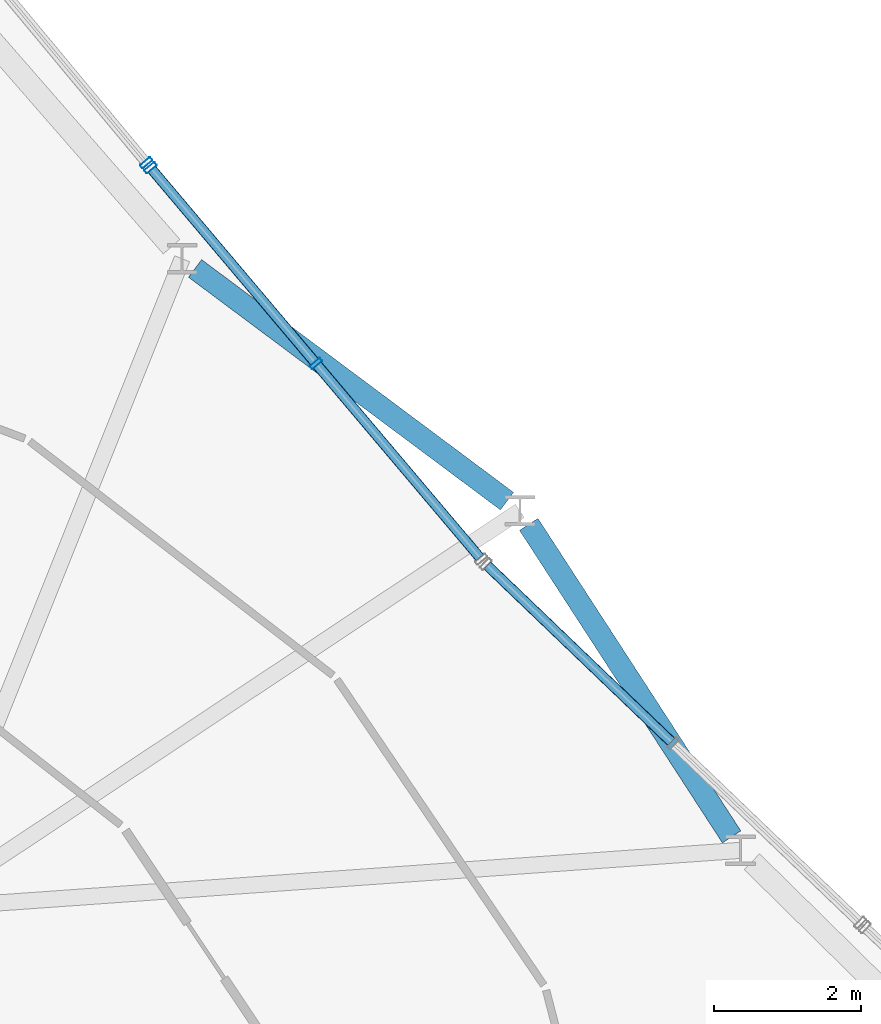
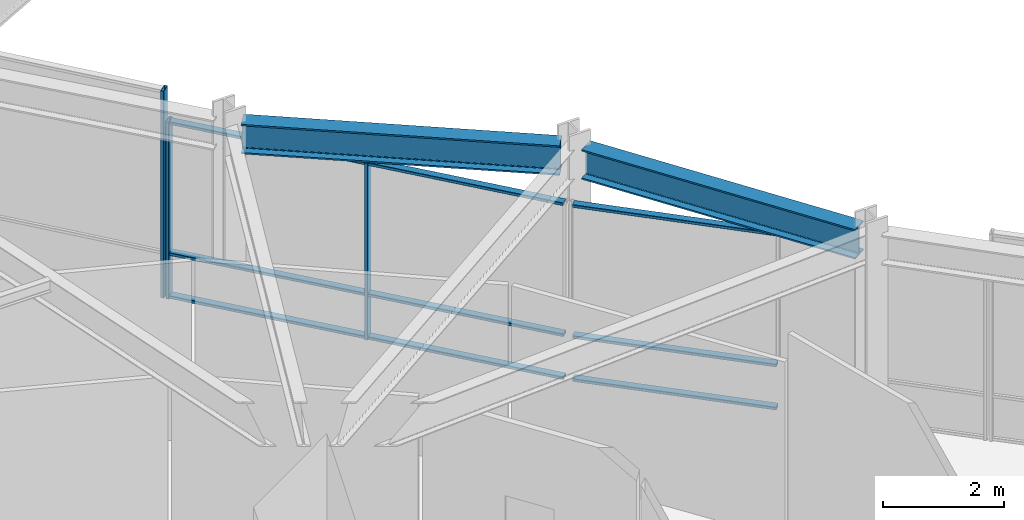
# One storey, part 37 of 55: 12 members, 2 beams, 3 elements without a shape of their own.
"""IFC4 building model written with IfcOpenShell, lengths in metres."""

from ifc_helpers import new_model, si_unit, direction, frame, origin, origin_2d, place, context, subcontext, project, spatial, hollow_rectangle, i_section, extrude, material, layer, layer_set, material_profile, profile_set, type_object, element, aggregate, save


model = new_model("IFC4")

# Units and contexts
model_context = context("Model", 3, precision=1e-05, world=origin(), true_north=direction((0.0, 1.0)))
body_context = subcontext(model_context, "Body", "Model", "MODEL_VIEW")
ifc_project = project(units=[si_unit("LENGTHUNIT", "METRE"), si_unit("AREAUNIT", "SQUARE_METRE"), si_unit("VOLUMEUNIT", "CUBIC_METRE"), si_unit("PLANEANGLEUNIT", "RADIAN"), si_unit("MASSUNIT", "GRAM", prefix="KILO")], contexts=[model_context])

# Site, building, storey
site_placement = place(None, origin())
site = spatial("IfcSite", under=ifc_project, at=site_placement, CompositionType="ELEMENT")
building_placement = place(site_placement, origin())
building = spatial("IfcBuilding", under=site, at=building_placement, Name="Kelanora Arch Commons", CompositionType="ELEMENT")
storey_placement = place(building_placement, frame((0.0, 0.0, 4.5)))
storey = spatial("IfcBuildingStorey", under=building, at=storey_placement, Name="L01", CompositionType="ELEMENT", Elevation=4.5)

# Beams
ifc_material_1 = material(Name="Steel S355", Category="steel")
ifc_material_profile_1 = material_profile(ifc_material_1, i_section(OverallWidth=0.300048828125, OverallDepth=0.60009765625, WebThickness=0.015380859375, FlangeThickness=0.030029296875, FilletRadius=0.027099609375, at=origin_2d()), Name="HEB600")
ifc_profile_set_1 = profile_set([ifc_material_profile_1], Name="Steel S355")
beam_type = type_object("IfcBeamType", Name="BM-SPN-Z1", PredefinedType="SPANDREL", material=ifc_profile_set_1)
beam_1_placement = place(storey_placement, frame((93.046142578125, 65.975341796875, 3.89990234375), z_axis=(-0.544524325677, 0.838745049908, 0.0), x_axis=(-0.838745049908, -0.544524325677, 0.0)))
element("IfcBeam", 1, at=beam_1_placement, inside=storey, type_object=beam_type, Name="Perimeter Spandrel Beam BS-02 L01", PredefinedType="SPANDREL", context=body_context, shape_type="SweptSolid", body=[
    extrude(i_section(OverallWidth=0.300048828125, OverallDepth=0.60009765625, WebThickness=0.015380859375, FlangeThickness=0.030029296875, FilletRadius=0.027099609375, at=origin_2d()), origin(), (0.0, 0.0, 1.0), 5.086669921875),
])
beam_2_placement = place(storey_placement, frame((89.980224609375, 70.5576171875, 3.89990234375), z_axis=(-0.801486366257, 0.598013047269, 0.0), x_axis=(-0.598013047269, -0.801486366257, 0.0)))
element("IfcBeam", 2, at=beam_2_placement, inside=storey, type_object=beam_type, Name="Perimeter Spandrel Beam BS-04 L01", PredefinedType="SPANDREL", context=body_context, shape_type="SweptSolid", body=[
    extrude(i_section(OverallWidth=0.300048828125, OverallDepth=0.60009765625, WebThickness=0.015380859375, FlangeThickness=0.030029296875, FilletRadius=0.027099609375, at=origin_2d()), origin(), (0.0, 0.0, 1.0), 5.31298828125),
])

# Curtain wall, members
ifc_material_2 = material(Name="Terracotta ceramic-fritted low-E glass and aluminium", Category="masonry")
ifc_layer = layer(ifc_material_2, 0.2099609375)
ifc_layer_set = layer_set([ifc_layer], Name="Terracotta ceramic-fritted low-E glass and aluminium")
curtain_wall_type = type_object("IfcCurtainWallType", Name="CW-SYS-04", PredefinedType="NOTDEFINED", material=ifc_layer_set)
curtain_wall_1_placement = place(storey_placement, origin())
curtain_wall_1 = element("IfcCurtainWall", 3, at=curtain_wall_1_placement, inside=storey, type_object=curtain_wall_type, Name="Unitised Curtain Wall L01-B02", PredefinedType="NOTDEFINED")
ifc_material_3 = material(Name="Powder-coated aluminium terracotta", Category="masonry")
ifc_material_profile_2 = material_profile(ifc_material_3, hollow_rectangle(XDim=0.179931640625, YDim=0.06005859375, WallThickness=0.0048828125, InnerFilletRadius=0.0048828125, OuterFilletRadius=0.010009765625, at=origin_2d()), Name="CWM180x60")
ifc_profile_set_2 = profile_set([ifc_material_profile_2], Name="Powder-coated aluminium terracotta")
member_type_1 = type_object("IfcMemberType", Name="CWM-HVY", PredefinedType="MULLION", material=ifc_profile_set_2)
member_1_placement = place(storey_placement, frame((87.37158203125, 72.43701171875, 0.0), z_axis=(0.0, 0.0, 1.0), x_axis=(-0.763854903949, -0.645388011752, 0.0)))
member_1 = element("IfcMember", 4, at=member_1_placement, type_object=member_type_1, Name="CW-04 mullion 2", PredefinedType="MULLION", context=body_context, shape_type="SweptSolid", body=[
    extrude(hollow_rectangle(XDim=0.179931640625, YDim=0.06005859375, WallThickness=0.0048828125, InnerFilletRadius=0.0048828125, OuterFilletRadius=0.010009765625, at=origin_2d()), origin(), (0.0, 0.0, 1.0), 3.580078125),
])
member_2_placement = place(storey_placement, frame((85.1142578125, 75.108642578125, 0.0), z_axis=(0.0, 0.0, 1.0), x_axis=(-0.763854903949, -0.645388011752, 0.0)))
member_2 = element("IfcMember", 5, at=member_2_placement, type_object=member_type_1, Name="CW-04 mullion 3", PredefinedType="MULLION", context=body_context, shape_type="SweptSolid", body=[
    extrude(hollow_rectangle(XDim=0.179931640625, YDim=0.06005859375, WallThickness=0.0048828125, InnerFilletRadius=0.0048828125, OuterFilletRadius=0.010009765625, at=origin_2d()), origin(), (0.0, 0.0, 1.0), 3.580078125),
])

# Curtain wall, member
curtain_wall_2_placement = place(storey_placement, origin())
curtain_wall_2 = element("IfcCurtainWall", 6, at=curtain_wall_2_placement, inside=storey, type_object=curtain_wall_type, Name="Unitised Curtain Wall L01-B03", PredefinedType="NOTDEFINED")
member_3_placement = place(storey_placement, frame((85.056396484375, 75.177490234375, 0.0), z_axis=(0.0, 0.0, 1.0), x_axis=(-0.768622918602, -0.639702125211, 0.0)))
member_3 = element("IfcMember", 7, at=member_3_placement, type_object=member_type_1, Name="CW-04 mullion 1", PredefinedType="MULLION", context=body_context, shape_type="SweptSolid", body=[
    extrude(hollow_rectangle(XDim=0.179931640625, YDim=0.06005859375, WallThickness=0.0048828125, InnerFilletRadius=0.0048828125, OuterFilletRadius=0.010009765625, at=origin_2d()), origin(), (0.0, 0.0, 1.0), 4.18505859375),
])
aggregate(curtain_wall_2, [member_3])

# Curtain wall, members
curtain_wall_3_placement = place(storey_placement, origin())
curtain_wall_3 = element("IfcCurtainWall", 8, at=curtain_wall_3_placement, inside=storey, type_object=curtain_wall_type, Name="Unitised Curtain Wall L01-B01", PredefinedType="NOTDEFINED")
ifc_material_profile_3 = material_profile(ifc_material_3, hollow_rectangle(XDim=0.139892578125, YDim=0.06005859375, WallThickness=0.0048828125, InnerFilletRadius=0.0048828125, OuterFilletRadius=0.010009765625, at=origin_2d()), Name="CWT140x60")
ifc_profile_set_3 = profile_set([ifc_material_profile_3], Name="Powder-coated aluminium terracotta")
member_type_2 = type_object("IfcMemberType", Name="CWT-HVY", PredefinedType="USERDEFINED", material=ifc_profile_set_3)
member_4_placement = place(storey_placement, frame((92.223876953125, 67.271240234375, 0.030029296875), z_axis=(-0.721928323992, 0.691967842474, 0.0), x_axis=(-0.691967842474, -0.721928323992, 0.0)))
member_4 = element("IfcMember", 9, at=member_4_placement, type_object=member_type_2, Name="CW-04 transom 2.1", ObjectType="TRANSOM", PredefinedType="USERDEFINED", context=body_context, shape_type="SweptSolid", body=[
    extrude(hollow_rectangle(XDim=0.139892578125, YDim=0.06005859375, WallThickness=0.0048828125, InnerFilletRadius=0.0048828125, OuterFilletRadius=0.010009765625, at=origin_2d()), origin(), (0.0, 0.0, 1.0), 3.4794921875),
])
member_5_placement = place(storey_placement, frame((92.223876953125, 67.271240234375, 0.89990234375), z_axis=(-0.721928323992, 0.691967842474, 0.0), x_axis=(-0.691967842474, -0.721928323992, 0.0)))
member_5 = element("IfcMember", 10, at=member_5_placement, type_object=member_type_2, Name="CW-04 transom 2.2", ObjectType="TRANSOM", PredefinedType="USERDEFINED", context=body_context, shape_type="SweptSolid", body=[
    extrude(hollow_rectangle(XDim=0.139892578125, YDim=0.06005859375, WallThickness=0.0048828125, InnerFilletRadius=0.0048828125, OuterFilletRadius=0.010009765625, at=origin_2d()), origin(), (0.0, 0.0, 1.0), 3.4794921875),
])
member_6_placement = place(storey_placement, frame((92.223876953125, 67.271240234375, 3.550048828125), z_axis=(-0.721928323992, 0.691967842474, 0.0), x_axis=(-0.691967842474, -0.721928323992, 0.0)))
member_6 = element("IfcMember", 11, at=member_6_placement, type_object=member_type_2, Name="CW-04 transom 2.3", ObjectType="TRANSOM", PredefinedType="USERDEFINED", context=body_context, shape_type="SweptSolid", body=[
    extrude(hollow_rectangle(XDim=0.139892578125, YDim=0.06005859375, WallThickness=0.0048828125, InnerFilletRadius=0.0048828125, OuterFilletRadius=0.010009765625, at=origin_2d()), origin(), (0.0, 0.0, 1.0), 3.4794921875),
])
aggregate(curtain_wall_3, [member_4, member_5, member_6])

# Member
member_7_placement = place(storey_placement, frame((89.609375, 69.788330078125, 0.030029296875), z_axis=(-0.645388090188, 0.763854837677, 0.0), x_axis=(-0.763854837677, -0.645388090188, 0.0)))
member_7 = element("IfcMember", 12, at=member_7_placement, type_object=member_type_2, Name="CW-04 transom 1.1", ObjectType="TRANSOM", PredefinedType="USERDEFINED", context=body_context, shape_type="SweptSolid", body=[
    extrude(hollow_rectangle(XDim=0.139892578125, YDim=0.06005859375, WallThickness=0.0048828125, InnerFilletRadius=0.0048828125, OuterFilletRadius=0.010009765625, at=origin_2d()), origin(), (0.0, 0.0, 1.0), 3.4375),
])

member_8_placement = place(storey_placement, frame((89.609375, 69.788330078125, 0.89990234375), z_axis=(-0.645388090188, 0.763854837677, 0.0), x_axis=(-0.763854837677, -0.645388090188, 0.0)))
member_8 = element("IfcMember", 13, at=member_8_placement, type_object=member_type_2, Name="CW-04 transom 1.2", ObjectType="TRANSOM", PredefinedType="USERDEFINED", context=body_context, shape_type="SweptSolid", body=[
    extrude(hollow_rectangle(XDim=0.139892578125, YDim=0.06005859375, WallThickness=0.0048828125, InnerFilletRadius=0.0048828125, OuterFilletRadius=0.010009765625, at=origin_2d()), origin(), (0.0, 0.0, 1.0), 3.4375),
])

member_9_placement = place(storey_placement, frame((89.609375, 69.788330078125, 3.550048828125), z_axis=(-0.645388090188, 0.763854837677, 0.0), x_axis=(-0.763854837677, -0.645388090188, 0.0)))
member_9 = element("IfcMember", 14, at=member_9_placement, type_object=member_type_2, Name="CW-04 transom 1.3", ObjectType="TRANSOM", PredefinedType="USERDEFINED", context=body_context, shape_type="SweptSolid", body=[
    extrude(hollow_rectangle(XDim=0.139892578125, YDim=0.06005859375, WallThickness=0.0048828125, InnerFilletRadius=0.0048828125, OuterFilletRadius=0.010009765625, at=origin_2d()), origin(), (0.0, 0.0, 1.0), 3.4375),
])

member_10_placement = place(storey_placement, frame((87.352294921875, 72.4599609375, 0.030029296875), z_axis=(-0.645429527562, 0.763819824927, 0.0), x_axis=(-0.763819824927, -0.645429527562, 0.0)))
member_10 = element("IfcMember", 15, at=member_10_placement, type_object=member_type_2, Name="CW-04 transom 2.1", ObjectType="TRANSOM", PredefinedType="USERDEFINED", context=body_context, shape_type="SweptSolid", body=[
    extrude(hollow_rectangle(XDim=0.139892578125, YDim=0.06005859375, WallThickness=0.0048828125, InnerFilletRadius=0.0048828125, OuterFilletRadius=0.010009765625, at=origin_2d()), origin(), (0.0, 0.0, 1.0), 3.437744140625),
])

member_11_placement = place(storey_placement, frame((87.352294921875, 72.4599609375, 0.89990234375), z_axis=(-0.645429527562, 0.763819824927, 0.0), x_axis=(-0.763819824927, -0.645429527562, 0.0)))
member_11 = element("IfcMember", 16, at=member_11_placement, type_object=member_type_2, Name="CW-04 transom 2.2", ObjectType="TRANSOM", PredefinedType="USERDEFINED", context=body_context, shape_type="SweptSolid", body=[
    extrude(hollow_rectangle(XDim=0.139892578125, YDim=0.06005859375, WallThickness=0.0048828125, InnerFilletRadius=0.0048828125, OuterFilletRadius=0.010009765625, at=origin_2d()), origin(), (0.0, 0.0, 1.0), 3.437744140625),
])

member_12_placement = place(storey_placement, frame((87.352294921875, 72.4599609375, 3.550048828125), z_axis=(-0.645429527562, 0.763819824927, 0.0), x_axis=(-0.763819824927, -0.645429527562, 0.0)))
member_12 = element("IfcMember", 17, at=member_12_placement, type_object=member_type_2, Name="CW-04 transom 2.3", ObjectType="TRANSOM", PredefinedType="USERDEFINED", context=body_context, shape_type="SweptSolid", body=[
    extrude(hollow_rectangle(XDim=0.139892578125, YDim=0.06005859375, WallThickness=0.0048828125, InnerFilletRadius=0.0048828125, OuterFilletRadius=0.010009765625, at=origin_2d()), origin(), (0.0, 0.0, 1.0), 3.437744140625),
])

aggregate(curtain_wall_1, [member_1, member_2, member_7, member_8, member_9, member_10, member_11, member_12])

save(model, "model.ifc")
